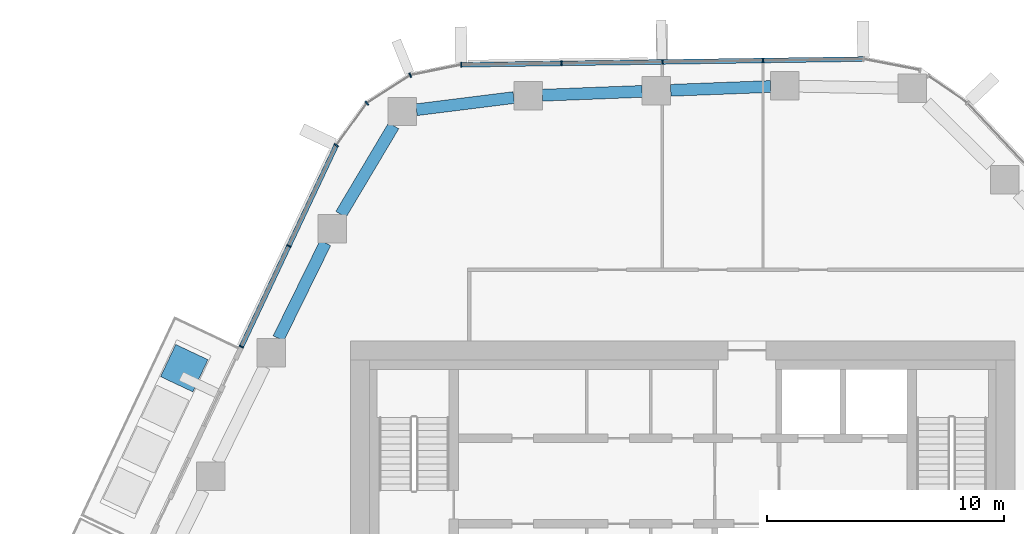
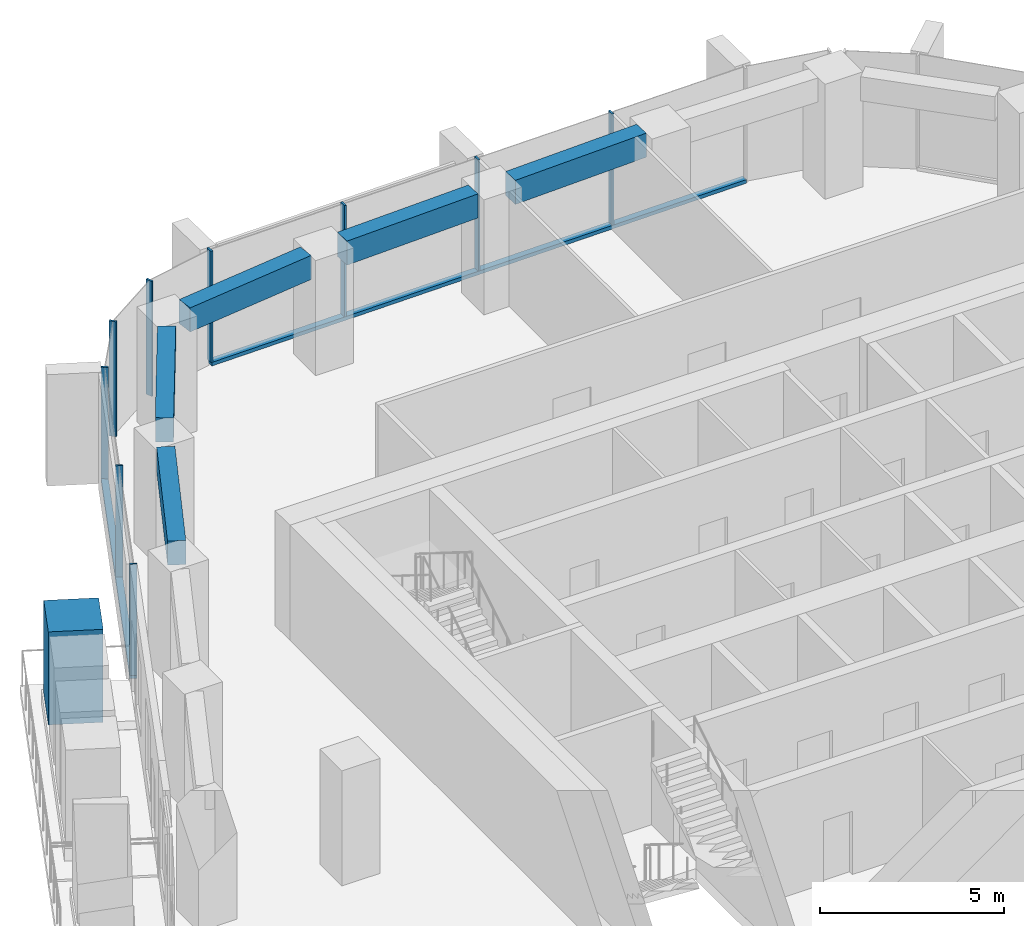
# One storey, part 6 of 18: 12 members, 5 beams, 3 elements without a shape of their own.
"""IFC4 building model written with IfcOpenShell, lengths in metres."""

from ifc_helpers import new_model, si_unit, direction, frame, origin, origin_2d, place, context, subcontext, project, spatial, rectangle, extrude, material, layer, layer_set, material_profile, profile_set, type_object, element, aggregate, save


model = new_model("IFC4")

# Units and contexts
model_context = context("Model", 3, precision=1e-05, world=origin(), true_north=direction((0.0, 1.0)))
body_context = subcontext(model_context, "Body", "Model", "MODEL_VIEW")
ifc_project = project(units=[si_unit("LENGTHUNIT", "METRE"), si_unit("AREAUNIT", "SQUARE_METRE"), si_unit("VOLUMEUNIT", "CUBIC_METRE"), si_unit("PLANEANGLEUNIT", "RADIAN"), si_unit("MASSUNIT", "GRAM", prefix="KILO")], contexts=[model_context])

# Site, building, storey
site_placement = place(None, origin())
site = spatial("IfcSite", under=ifc_project, at=site_placement, CompositionType="ELEMENT")
building_placement = place(site_placement, origin())
building = spatial("IfcBuilding", under=site, at=building_placement, Name="Dongbaek Canopy Tower", CompositionType="ELEMENT")
storey_placement = place(building_placement, frame((0.0, 0.0, 162.800048828125)))
storey = spatial("IfcBuildingStorey", under=building, at=storey_placement, Name="L35", CompositionType="ELEMENT", Elevation=162.800048828125)

# Curtain wall, members
ifc_material_1 = material(Name="Aluminium 6063-T6 pale anodised", Category="aluminium")
ifc_layer = layer(ifc_material_1, 0.199951171875)
ifc_layer_set = layer_set([ifc_layer], Name="CW-1 unitised tower curtain wall")
curtain_wall_type = type_object("IfcCurtainWallType", Name="CW-1 unitised tower curtain wall", PredefinedType="NOTDEFINED", material=ifc_layer_set)
curtain_wall_1_placement = place(storey_placement, origin())
curtain_wall_1 = element("IfcCurtainWall", 1, at=curtain_wall_1_placement, inside=storey, type_object=curtain_wall_type, Name="CW-1 curtain wall F1.1", PredefinedType="NOTDEFINED")
ifc_material_2 = material(Name="Aluminium 6063-T6 pale anodised", Category="aluminium")
ifc_material_profile_1 = material_profile(ifc_material_2, rectangle(XDim=0.199951171875, YDim=0.06005859375, at=origin_2d()), Name="CW-1 mullion 60 x 200")
ifc_profile_set_1 = profile_set([ifc_material_profile_1], Name="Aluminium 6063-T6 pale anodised")
member_type_1 = type_object("IfcMemberType", Name="CW-1 mullion 60 x 200", PredefinedType="MULLION", material=ifc_profile_set_1)
member_1_placement = place(storey_placement, frame((3.375244140625, 22.8095703125, 0.119873046875), z_axis=(0.0, 0.0, 1.0), x_axis=(-0.014277328293, 0.999898073754, 0.0)))
member_1 = element("IfcMember", 2, at=member_1_placement, type_object=member_type_1, Name="CW-1 mullion F1.1.2", PredefinedType="MULLION", context=body_context, shape_type="SweptSolid", body=[
    extrude(rectangle(XDim=0.199951171875, YDim=0.06005859375, at=origin_2d()), origin(), (0.0, 0.0, 1.0), 3.7001953125),
])
member_2_placement = place(storey_placement, frame((-0.864501953125, 22.7490234375, 0.119873046875), z_axis=(0.0, 0.0, 1.0), x_axis=(-0.014277328293, 0.999898073754, 0.0)))
member_2 = element("IfcMember", 3, at=member_2_placement, type_object=member_type_1, Name="CW-1 mullion F1.1.3", PredefinedType="MULLION", context=body_context, shape_type="SweptSolid", body=[
    extrude(rectangle(XDim=0.199951171875, YDim=0.06005859375, at=origin_2d()), origin(), (0.0, 0.0, 1.0), 3.7001953125),
])
member_3_placement = place(storey_placement, frame((-5.104248046875, 22.6884765625, 0.119873046875), z_axis=(0.0, 0.0, 1.0), x_axis=(-0.014277328293, 0.999898073754, 0.0)))
member_3 = element("IfcMember", 4, at=member_3_placement, type_object=member_type_1, Name="CW-1 mullion F1.1.4", PredefinedType="MULLION", context=body_context, shape_type="SweptSolid", body=[
    extrude(rectangle(XDim=0.199951171875, YDim=0.06005859375, at=origin_2d()), origin(), (0.0, 0.0, 1.0), 3.7001953125),
])
member_4_placement = place(storey_placement, frame((-9.334716796875, 22.628173828125, 0.119873046875), z_axis=(0.0, 0.0, 1.0), x_axis=(-0.014277328293, 0.999898073754, 0.0)))
member_4 = element("IfcMember", 5, at=member_4_placement, type_object=member_type_1, Name="CW-1 mullion F1.1.5", PredefinedType="MULLION", context=body_context, shape_type="SweptSolid", body=[
    extrude(rectangle(XDim=0.199951171875, YDim=0.06005859375, at=origin_2d()), origin(), (0.0, 0.0, 1.0), 3.7001953125),
])

curtain_wall_2_placement = place(storey_placement, origin())
curtain_wall_2 = element("IfcCurtainWall", 6, at=curtain_wall_2_placement, inside=storey, type_object=curtain_wall_type, Name="CW-1 curtain wall K2.1", PredefinedType="NOTDEFINED")
member_5_placement = place(storey_placement, frame((-11.482421875, 22.192138671875, 0.0), z_axis=(0.0, 0.0, 1.0), x_axis=(-0.376811935113, 0.926289784871, 0.0)))
member_5 = element("IfcMember", 7, at=member_5_placement, type_object=member_type_1, Name="CW-1 mullion K2.1.2", PredefinedType="MULLION", context=body_context, shape_type="SweptSolid", body=[
    extrude(rectangle(XDim=0.199951171875, YDim=0.06005859375, at=origin_2d()), origin(), (0.0, 0.0, 1.0), 3.820068359375),
])
member_6_placement = place(storey_placement, frame((-13.316650390625, 21.01025390625, 0.0), z_axis=(0.0, 0.0, 1.0), x_axis=(-0.687780008979, 0.725919182312, 0.0)))
member_6 = element("IfcMember", 8, at=member_6_placement, type_object=member_type_1, Name="CW-1 mullion K2.1.3", PredefinedType="MULLION", context=body_context, shape_type="SweptSolid", body=[
    extrude(rectangle(XDim=0.199951171875, YDim=0.06005859375, at=origin_2d()), origin(), (0.0, 0.0, 1.0), 3.820068359375),
])
member_7_placement = place(storey_placement, frame((-14.60107421875, 19.234619140625, 0.0), z_axis=(0.0, 0.0, 1.0), x_axis=(-0.810182611927, 0.586177562972, 0.0)))
member_7 = element("IfcMember", 9, at=member_7_placement, type_object=member_type_1, Name="CW-1 mullion K2.1.4", PredefinedType="MULLION", context=body_context, shape_type="SweptSolid", body=[
    extrude(rectangle(XDim=0.199951171875, YDim=0.06005859375, at=origin_2d()), origin(), (0.0, 0.0, 1.0), 3.820068359375),
])
aggregate(curtain_wall_2, [member_5, member_6, member_7])

curtain_wall_3_placement = place(storey_placement, origin())
curtain_wall_3 = element("IfcCurtainWall", 10, at=curtain_wall_3_placement, inside=storey, type_object=curtain_wall_type, Name="CW-1 curtain wall F2.1", PredefinedType="NOTDEFINED")
member_8_placement = place(storey_placement, frame((-16.59619140625, 15.000244140625, 0.119873046875), z_axis=(0.0, 0.0, 1.0), x_axis=(-0.904625717834, 0.426206887126, 0.0)))
member_8 = element("IfcMember", 11, at=member_8_placement, type_object=member_type_1, Name="CW-1 mullion F2.1.2", PredefinedType="MULLION", context=body_context, shape_type="SweptSolid", body=[
    extrude(rectangle(XDim=0.199951171875, YDim=0.06005859375, at=origin_2d()), origin(), (0.0, 0.0, 1.0), 3.7001953125),
])
member_9_placement = place(storey_placement, frame((-18.59521484375, 10.75732421875, 0.119873046875), z_axis=(0.0, 0.0, 1.0), x_axis=(-0.904625717834, 0.426206887126, 0.0)))
member_9 = element("IfcMember", 12, at=member_9_placement, type_object=member_type_1, Name="CW-1 mullion F2.1.3", PredefinedType="MULLION", context=body_context, shape_type="SweptSolid", body=[
    extrude(rectangle(XDim=0.199951171875, YDim=0.06005859375, at=origin_2d()), origin(), (0.0, 0.0, 1.0), 3.7001953125),
])

# Member
ifc_material_3 = material(Name="Aluminium 6063-T6 pale anodised", Category="aluminium")
ifc_material_profile_2 = material_profile(ifc_material_3, rectangle(XDim=0.199951171875, YDim=0.1201171875, at=origin_2d()), Name="CW-1 transom 120 x 200")
ifc_profile_set_2 = profile_set([ifc_material_profile_2], Name="Aluminium 6063-T6 pale anodised")
member_type_2 = type_object("IfcMemberType", Name="CW-1 transom 120 x 200", PredefinedType="USERDEFINED", material=ifc_profile_set_2)
member_10_placement = place(storey_placement, frame((7.604736328125, 22.869873046875, 0.06005859375), z_axis=(-0.999898221647, -0.014266967016, 0.0), x_axis=(0.014266967016, -0.999898221647, 0.0)))
member_10 = element("IfcMember", 13, at=member_10_placement, type_object=member_type_2, Name="CW-1 transom F1.1.1", ObjectType="TRANSOM", PredefinedType="USERDEFINED", context=body_context, shape_type="SweptSolid", body=[
    extrude(rectangle(XDim=0.199951171875, YDim=0.1201171875, at=origin_2d()), origin(), (0.0, 0.0, 1.0), 16.941162109375),
])

aggregate(curtain_wall_1, [member_1, member_2, member_3, member_4, member_10])

member_11_placement = place(storey_placement, frame((-14.60107421875, 19.234619140625, 0.06005859375), z_axis=(-0.426218553172, -0.904620221381, 0.0), x_axis=(0.904620221381, -0.426218553172, 0.0)))
member_11 = element("IfcMember", 14, at=member_11_placement, type_object=member_type_2, Name="CW-1 transom F2.1.1", ObjectType="TRANSOM", PredefinedType="USERDEFINED", context=body_context, shape_type="SweptSolid", body=[
    extrude(rectangle(XDim=0.199951171875, YDim=0.1201171875, at=origin_2d()), origin(), (0.0, 0.0, 1.0), 9.37109375),
])

aggregate(curtain_wall_3, [member_8, member_9, member_11])

# Beams
ifc_material_4 = material(Name="Concrete C70", Category="concrete")
ifc_material_profile_3 = material_profile(ifc_material_4, rectangle(XDim=0.5, YDim=0.800048828125, at=origin_2d()), Name="RC EDGE BEAM 500x800 C70")
ifc_profile_set_3 = profile_set([ifc_material_profile_3], Name="Concrete C70")
beam_type = type_object("IfcBeamType", Name="RC EDGE BEAM 500x800 C70", PredefinedType="BEAM", material=ifc_profile_set_3)
beam_1_placement = place(storey_placement, frame((-17.032958984375, 11.10498046875, 3.419921875), z_axis=(0.441228982876, 0.89739455351, 0.0), x_axis=(-0.89739455351, 0.441228982876, 0.0)))
element("IfcBeam", 15, at=beam_1_placement, inside=storey, type_object=beam_type, Name="EDGEBEAM:L35:11", PredefinedType="BEAM", context=body_context, shape_type="SweptSolid", body=[
    extrude(rectangle(XDim=0.5, YDim=0.800048828125, at=origin_2d()), origin(), (0.0, 0.0, 1.0), 4.478515625),
])
beam_2_placement = place(storey_placement, frame((-14.40478515625, 16.323974609375, 3.419921875), z_axis=(0.51151247975, 0.859275848061, 0.0), x_axis=(-0.859275848061, 0.51151247975, 0.0)))
element("IfcBeam", 16, at=beam_2_placement, inside=storey, type_object=beam_type, Name="EDGEBEAM:L35:12", PredefinedType="BEAM", context=body_context, shape_type="SweptSolid", body=[
    extrude(rectangle(XDim=0.5, YDim=0.800048828125, at=origin_2d()), origin(), (0.0, 0.0, 1.0), 4.34912109375),
])
beam_3_placement = place(storey_placement, frame((-11.222900390625, 20.73583984375, 3.419921875), z_axis=(0.992289687294, 0.123940213368, 0.0), x_axis=(-0.123940213368, 0.992289687294, 0.0)))
element("IfcBeam", 17, at=beam_3_placement, inside=storey, type_object=beam_type, Name="EDGEBEAM:L35:13", PredefinedType="BEAM", context=body_context, shape_type="SweptSolid", body=[
    extrude(rectangle(XDim=0.5, YDim=0.800048828125, at=origin_2d()), origin(), (0.0, 0.0, 1.0), 4.1328125),
])
beam_4_placement = place(storey_placement, frame((-5.922119140625, 21.345947265625, 3.419921875), z_axis=(0.999268092878, 0.038252824158, 0.0), x_axis=(-0.038252824158, 0.999268092878, 0.0)))
element("IfcBeam", 18, at=beam_4_placement, inside=storey, type_object=beam_type, Name="EDGEBEAM:L35:14", PredefinedType="BEAM", context=body_context, shape_type="SweptSolid", body=[
    extrude(rectangle(XDim=0.5, YDim=0.800048828125, at=origin_2d()), origin(), (0.0, 0.0, 1.0), 4.21240234375),
])
beam_5_placement = place(storey_placement, frame((-0.512939453125, 21.552978515625, 3.419921875), z_axis=(0.999276508887, 0.0380323387, 0.0), x_axis=(-0.0380323387, 0.999276508887, 0.0)))
element("IfcBeam", 19, at=beam_5_placement, inside=storey, type_object=beam_type, Name="EDGEBEAM:L35:15", PredefinedType="BEAM", context=body_context, shape_type="SweptSolid", body=[
    extrude(rectangle(XDim=0.5, YDim=0.800048828125, at=origin_2d()), origin(), (0.0, 0.0, 1.0), 4.2109375),
])

# Member
ifc_material_5 = material(Name="Concrete C40/50 planter mass with planting", Category="concrete")
ifc_material_profile_4 = material_profile(ifc_material_5, rectangle(XDim=1.5, YDim=1.5, at=origin_2d()), Name="Terrace PLANTER shrub mass 1500 x 1500")
ifc_profile_set_4 = profile_set([ifc_material_profile_4], Name="Concrete C40/50 planter mass with planting")
member_type_3 = type_object("IfcMemberType", Name="Terrace PLANTER shrub mass 1500 x 1500", PredefinedType="USERDEFINED", material=ifc_profile_set_4)
member_12_placement = place(storey_placement, frame((-21.001953125, 9.848876953125, 0.419921875), z_axis=(0.0, 0.0, 1.0), x_axis=(-0.904625717834, 0.426206887126, 0.0)))
element("IfcMember", 20, at=member_12_placement, inside=storey, type_object=member_type_3, Name="Planter shrubs L35 1.1", ObjectType="PLANTER", PredefinedType="USERDEFINED", context=body_context, shape_type="SweptSolid", body=[
    extrude(rectangle(XDim=1.5, YDim=1.5, at=origin_2d()), origin(), (0.0, 0.0, 1.0), 3.090087890625),
])

save(model, "model.ifc")
